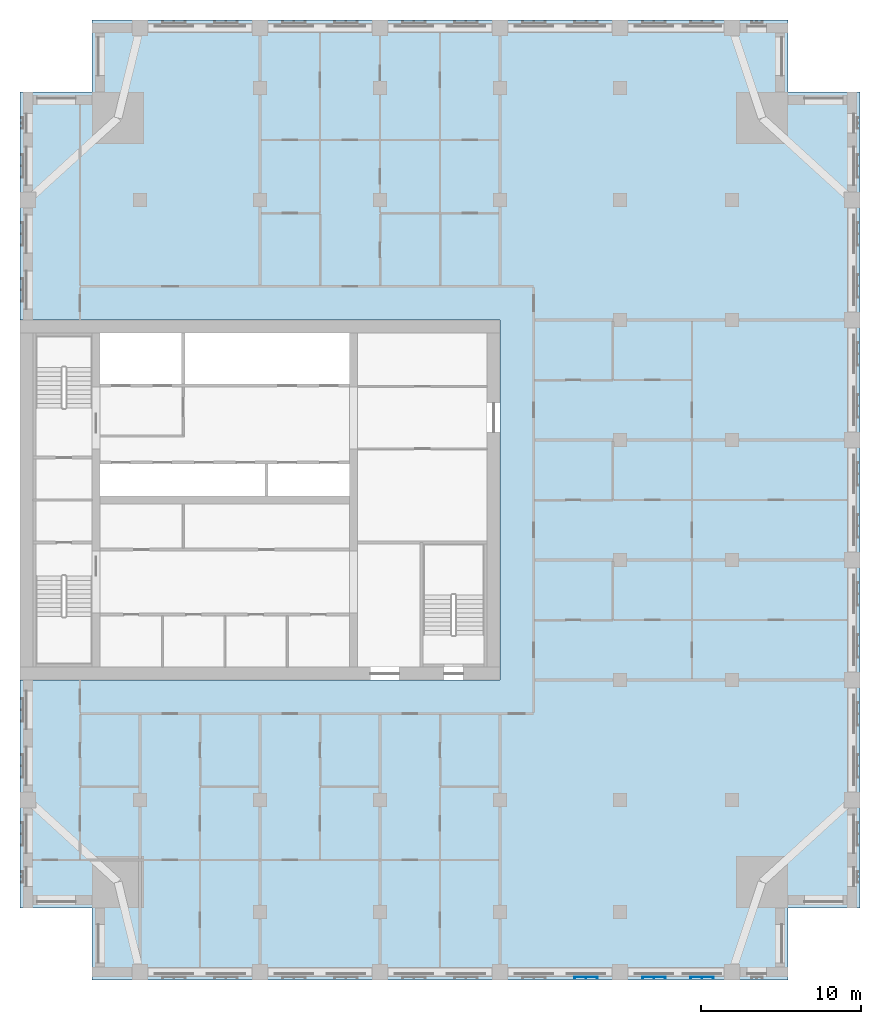
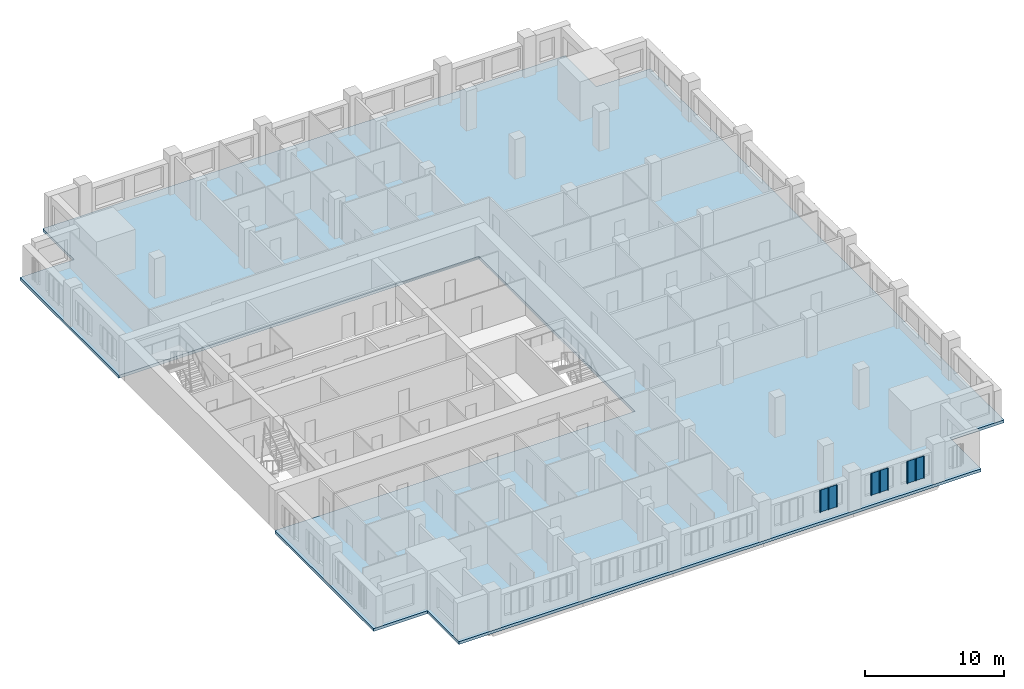
# One storey, part 3 of 14: 3 plates, 1 slab.
"""IFC4 building model written with IfcOpenShell, lengths in metres."""

from ifc_helpers import new_model, si_unit, direction, frame, origin, place, context, subcontext, project, spatial, polyline, outline, extrude, material, layer, layer_set, type_object, element, save


model = new_model("IFC4")

# Units and contexts
model_context = context("Model", 3, precision=1e-05, world=origin(), true_north=direction((0.0, 1.0)))
body_context = subcontext(model_context, "Body", "Model", "MODEL_VIEW")
ifc_project = project(units=[si_unit("LENGTHUNIT", "METRE"), si_unit("AREAUNIT", "SQUARE_METRE"), si_unit("VOLUMEUNIT", "CUBIC_METRE"), si_unit("PLANEANGLEUNIT", "RADIAN"), si_unit("MASSUNIT", "GRAM", prefix="KILO")], contexts=[model_context])

# Site, building, storey
site_placement = place(None, origin())
site = spatial("IfcSite", under=ifc_project, at=site_placement, CompositionType="ELEMENT")
building_placement = place(site_placement, origin())
building = spatial("IfcBuilding", under=site, at=building_placement, Name="Tamorin Gate", CompositionType="ELEMENT")
storey_placement = place(building_placement, frame((0.0, 0.0, 200.199951171875)))
storey = spatial("IfcBuildingStorey", under=building, at=storey_placement, Name="L49", CompositionType="ELEMENT", Elevation=200.199951171875)

# Slab
ifc_material_1 = material(Name="Concrete C40/50", Category="concrete")
ifc_layer_1 = layer(ifc_material_1, 0.25)
ifc_layer_set_1 = layer_set([ifc_layer_1], Name="Floor slab 250 C40/50")
slab_type = type_object("IfcSlabType", Name="Floor slab 250 C40/50", PredefinedType="FLOOR", material=ifc_layer_set_1)
slab_placement = place(storey_placement, frame((0.0, 0.0, -0.25)))
element("IfcSlab", 1, at=slab_placement, inside=storey, type_object=slab_type, Name="Floor L49", PredefinedType="FLOOR", context=body_context, shape_type="SweptSolid", body=[
    extrude(outline(polyline([(30.0, 96.75), (34.5, 96.75), (34.5, 101.25), (78.0, 101.25), (78.0, 96.75), (82.5, 96.75), (82.5, 45.75), (78.0, 45.75), (78.0, 41.25), (34.5, 41.25), (34.5, 45.75), (30.0, 45.75), (30.0, 60.0), (60.0, 60.0), (60.0, 82.5), (30.0, 82.5), (30.0, 96.75)])), origin(), (0.0, 0.0, 1.0), 0.25),
])

# Plates
ifc_material_2 = material(Name="Perforated pale aluminium sheet", Category="aluminium")
ifc_layer_2 = layer(ifc_material_2, 0.0400390625)
ifc_layer_set_2 = layer_set([ifc_layer_2], Name="Pale metal solar screen 1440")
plate_type = type_object("IfcPlateType", Name="Pale metal solar screen 1440", PredefinedType="SHEET", material=ifc_layer_set_2)
plate_1_placement = place(storey_placement, frame((0.0, 0.0, 0.737548828125)))
element("IfcPlate", 2, at=plate_1_placement, inside=storey, type_object=plate_type, Name="Perforated solar screen", PredefinedType="SHEET", context=body_context, shape_type="SweptSolid", body=[
    extrude(outline(polyline([(64.655029296875, 41.409912109375), (64.655029296875, 41.449951171875), (64.715087890625, 41.449951171875), (65.344970703125, 41.449951171875), (65.405029296875, 41.449951171875), (66.034912109375, 41.449951171875), (66.094970703125, 41.449951171875), (66.094970703125, 41.409912109375), (66.094970703125, 41.35009765625), (66.034912109375, 41.35009765625), (66.034912109375, 41.409912109375), (65.405029296875, 41.409912109375), (65.405029296875, 41.35009765625), (65.344970703125, 41.35009765625), (65.344970703125, 41.409912109375), (64.715087890625, 41.409912109375), (64.715087890625, 41.35009765625), (64.655029296875, 41.35009765625), (64.655029296875, 41.409912109375)])), origin(), (0.0, 0.0, 1.0), 1.925048828125),
])
plate_2_placement = place(storey_placement, frame((0.0, 0.0, 0.737548828125)))
element("IfcPlate", 3, at=plate_2_placement, inside=storey, type_object=plate_type, Name="Perforated solar screen", PredefinedType="SHEET", context=body_context, shape_type="SweptSolid", body=[
    extrude(outline(polyline([(68.905029296875, 41.409912109375), (68.905029296875, 41.449951171875), (68.965087890625, 41.449951171875), (69.594970703125, 41.449951171875), (69.655029296875, 41.449951171875), (70.284912109375, 41.449951171875), (70.344970703125, 41.449951171875), (70.344970703125, 41.409912109375), (70.344970703125, 41.35009765625), (70.284912109375, 41.35009765625), (70.284912109375, 41.409912109375), (69.655029296875, 41.409912109375), (69.655029296875, 41.35009765625), (69.594970703125, 41.35009765625), (69.594970703125, 41.409912109375), (68.965087890625, 41.409912109375), (68.965087890625, 41.35009765625), (68.905029296875, 41.35009765625), (68.905029296875, 41.409912109375)])), origin(), (0.0, 0.0, 1.0), 1.925048828125),
])
plate_3_placement = place(storey_placement, frame((0.0, 0.0, 0.737548828125)))
element("IfcPlate", 4, at=plate_3_placement, inside=storey, type_object=plate_type, Name="Perforated solar screen", PredefinedType="SHEET", context=body_context, shape_type="SweptSolid", body=[
    extrude(outline(polyline([(71.905029296875, 41.409912109375), (71.905029296875, 41.449951171875), (71.965087890625, 41.449951171875), (72.594970703125, 41.449951171875), (72.655029296875, 41.449951171875), (73.284912109375, 41.449951171875), (73.344970703125, 41.449951171875), (73.344970703125, 41.409912109375), (73.344970703125, 41.35009765625), (73.284912109375, 41.35009765625), (73.284912109375, 41.409912109375), (72.655029296875, 41.409912109375), (72.655029296875, 41.35009765625), (72.594970703125, 41.35009765625), (72.594970703125, 41.409912109375), (71.965087890625, 41.409912109375), (71.965087890625, 41.35009765625), (71.905029296875, 41.35009765625), (71.905029296875, 41.409912109375)])), origin(), (0.0, 0.0, 1.0), 1.925048828125),
])

save(model, "model.ifc")
